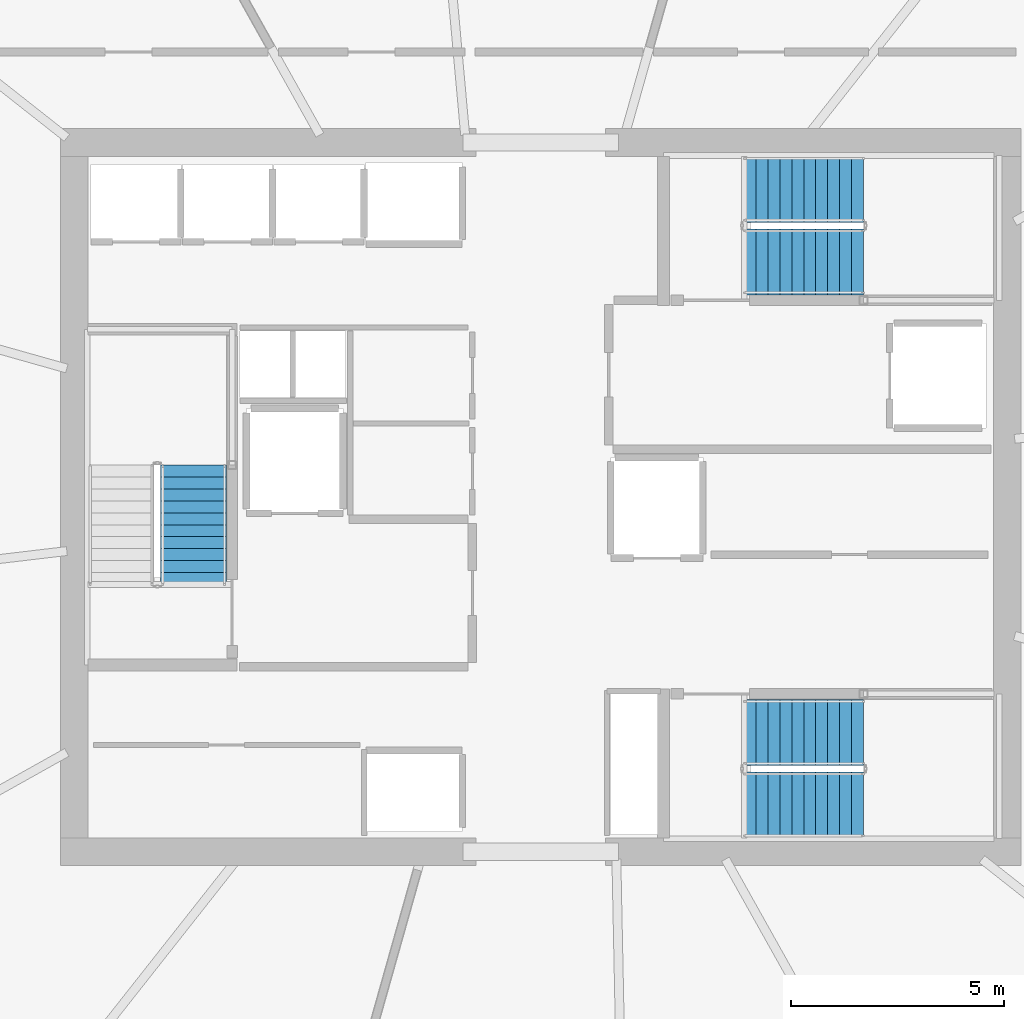
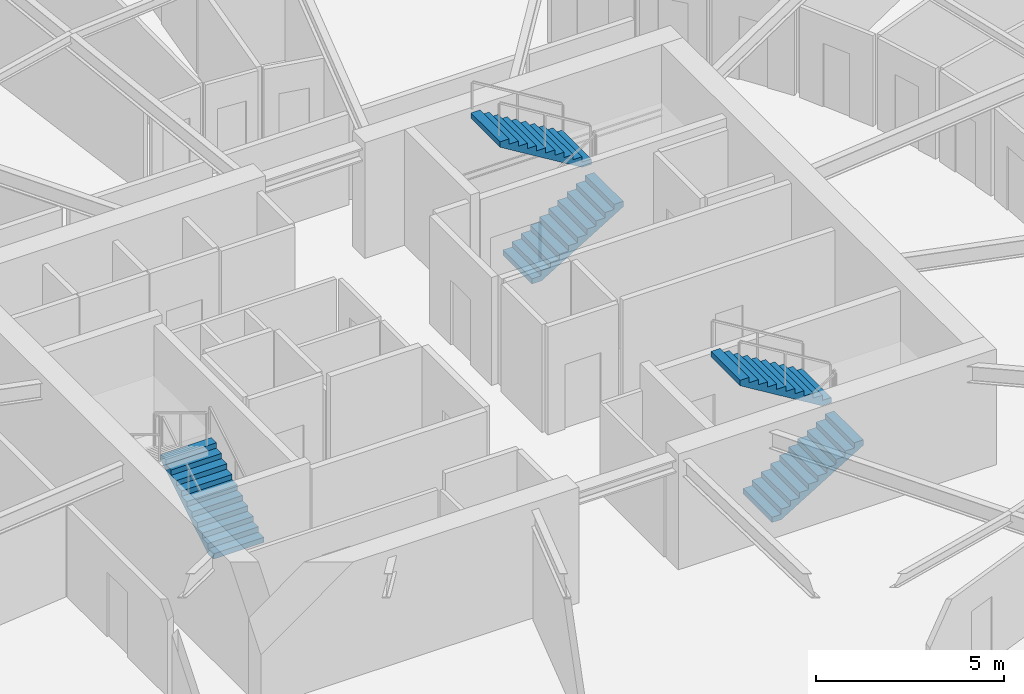
# One storey, part 16 of 21: 5 stair flights, 3 elements without a shape of their own.
"""IFC4 building model written with IfcOpenShell, lengths in metres."""

import ifcopenshell
import ifcopenshell.guid

model = None  # the IFC model being written
_history = None  # IfcOwnerHistory: only IFC2X3 demands one
_inside = {}  # id of a spatial element -> (the spatial element, [elements in it])
_under = {}  # id of a project, library or spatial element -> (it, [spatial elements below it])
_declared = {}  # id of a project -> (the project, [libraries it declares])
_typed = {}  # id of a type object -> (the type object, [elements of that type])
_made_of = {}  # id of a material, layer set ... -> (it, [elements and type objects made of it])


def new_model(schema):
    """Start an empty IFC model of exactly this schema.

    Asked for "IFC4X3", IfcOpenShell would pick the latest addendum, in which some entities
    have other attributes; the version numbers below select the first issue.
    IFC2X3 requires an IfcOwnerHistory on every rooted entity: one is made here for all.
    """
    global model, _history
    if schema == "IFC4X3":
        model = ifcopenshell.file(schema_version=(4, 3, 0, 0))
    else:
        model = ifcopenshell.file(schema=schema)
    _inside.clear()
    _under.clear()
    _declared.clear()
    _typed.clear()
    _made_of.clear()
    _history = None
    if model.schema == "IFC2X3":
        org = make("IfcOrganization", Name="unknown")
        user = make(
            "IfcPersonAndOrganization",
            ThePerson=make("IfcPerson", FamilyName="unknown"),
            TheOrganization=org,
        )
        app = make(
            "IfcApplication",
            ApplicationDeveloper=org,
            Version="unknown",
            ApplicationFullName="unknown",
            ApplicationIdentifier="unknown",
        )
        _history = make(
            "IfcOwnerHistory",
            OwningUser=user,
            OwningApplication=app,
            ChangeAction="ADDED",
            CreationDate=0,
        )
    return model


def make(cls, **values):
    """One entity of the class cls with the attributes given. An attribute that is None is left unset."""
    return model.create_entity(
        cls, **{name: value for name, value in values.items() if value is not None}
    )


def rooted(cls, **values):
    """An entity with a GlobalId (a new one), such as an element, a storey or a relation."""
    return make(cls, GlobalId=ifcopenshell.guid.new(), OwnerHistory=_history, **values)


def si_unit(unit_type, name, prefix=None):
    """IfcSIUnit, for example si_unit("LENGTHUNIT", "METRE", prefix="MILLI")."""
    return make("IfcSIUnit", UnitType=unit_type, Prefix=prefix, Name=name)


def assignment(units):
    """IfcUnitAssignment: the units of a project."""
    return None if units is None else make("IfcUnitAssignment", Units=units)


def point(xyz):
    """IfcCartesianPoint."""
    return None if xyz is None else make("IfcCartesianPoint", Coordinates=xyz)


def direction(xyz):
    """IfcDirection."""
    return None if xyz is None else make("IfcDirection", DirectionRatios=xyz)


def frame(location, z_axis=None, x_axis=None):
    """IfcAxis2Placement3D, a coordinate frame: its origin and axes. An axis left out is left unset."""
    return make(
        "IfcAxis2Placement3D",
        Location=point(location),
        Axis=direction(z_axis),
        RefDirection=direction(x_axis),
    )


def origin():
    """The frame at (0, 0, 0) with its axes left unset."""
    return frame((0.0, 0.0, 0.0))


def place(relative_to, where):
    """IfcLocalPlacement: puts the frame where relative to a parent placement (None: the world)."""
    return make(
        "IfcLocalPlacement", PlacementRelTo=relative_to, RelativePlacement=where
    )


def context(
    kind, dimensions, precision=None, world=None, true_north=None, identifier=None
):
    """IfcGeometricRepresentationContext, for example the 3D "Model" context."""
    return make(
        "IfcGeometricRepresentationContext",
        ContextIdentifier=identifier,
        ContextType=kind,
        CoordinateSpaceDimension=dimensions,
        Precision=precision,
        WorldCoordinateSystem=world,
        TrueNorth=true_north,
    )


def subcontext(parent, identifier, kind, view, scale=None):
    """IfcGeometricRepresentationSubContext, for example "Body" below "Model"."""
    return make(
        "IfcGeometricRepresentationSubContext",
        ContextIdentifier=identifier,
        ContextType=kind,
        ParentContext=parent,
        TargetScale=scale,
        TargetView=view,
    )


def project(units=None, contexts=None):
    """IfcProject with its units and contexts."""
    return rooted(
        "IfcProject",
        Name="project",
        RepresentationContexts=contexts,
        UnitsInContext=assignment(units),
    )


def spatial(cls, under=None, at=None, **own):
    """A site, building, storey or space (cls), placed at a placement, below another one or the project."""
    s = rooted(cls, ObjectPlacement=at, **own)
    if under is not None:
        _under.setdefault(under.id(), (under, []))[1].append(s)
    return s


def polyline(points):
    """IfcPolyline through the points."""
    return make("IfcPolyline", Points=[point(p) for p in points])


def outline(outer, holes=None, kind="AREA"):
    """IfcArbitraryClosedProfileDef: a profile drawn as a closed curve; with holes, ...WithVoids."""
    if holes is None:
        return make("IfcArbitraryClosedProfileDef", ProfileType=kind, OuterCurve=outer)
    return make(
        "IfcArbitraryProfileDefWithVoids",
        ProfileType=kind,
        OuterCurve=outer,
        InnerCurves=holes,
    )


def extrude(swept, where, along, depth):
    """IfcExtrudedAreaSolid: the profile swept, set in the frame where, extruded along a direction by depth."""
    return make(
        "IfcExtrudedAreaSolid",
        SweptArea=swept,
        Position=where,
        ExtrudedDirection=direction(along),
        Depth=depth,
    )


def shape(context_of_items, identifier, shape_type, items):
    """IfcShapeRepresentation: the items that make up one representation, for example the "Body"."""
    return make(
        "IfcShapeRepresentation",
        ContextOfItems=context_of_items,
        RepresentationIdentifier=identifier,
        RepresentationType=shape_type,
        Items=items,
    )


def material(Name=None, Category=None):
    """IfcMaterial."""
    return make("IfcMaterial", Name=Name, Category=Category)


def made_of(thing, what):
    """Note that an element or type object is made of a material, layer set ...; save() writes the relation."""
    if what is not None:
        _made_of.setdefault(what.id(), (what, []))[1].append(thing)
    return thing


def type_object(cls, material=None, **own):
    """A type object (cls), such as IfcWallType, which elements share."""
    return made_of(rooted(cls, **own), material)


def element(
    cls,
    number,
    at=None,
    inside=None,
    cuts=None,
    type_object=None,
    material=None,
    context=None,
    identifier="Body",
    shape_type=None,
    held_by="IfcProductDefinitionShape",
    body=None,
    shapes=None,
    **own,
):
    """One element of the class cls, such as IfcWall. Its Tag is "e" and its number.

    at: its placement. inside: the storey or other place that contains it. cuts: it is an
    opening in that element (IfcRelVoidsElement). A single representation is given by context,
    identifier, shape_type and body (its items); several are given by shapes. held_by: the class
    of the entity that holds the representations. save() writes the other relations.
    """
    e = rooted(cls, Tag="e%d" % number, ObjectPlacement=at, **own)
    if body is not None:
        shapes = [shape(context, identifier, shape_type, body)]
    if shapes is not None:
        e.Representation = make(held_by, Representations=shapes)
    if inside is not None:
        _inside.setdefault(inside.id(), (inside, []))[1].append(e)
    if cuts is not None:
        rooted(
            "IfcRelVoidsElement", RelatingBuildingElement=cuts, RelatedOpeningElement=e
        )
    if type_object is not None:
        _typed.setdefault(type_object.id(), (type_object, []))[1].append(e)
    return made_of(e, material)


def aggregate(whole, parts):
    """IfcRelAggregates: a whole, such as a stair, and the parts it consists of."""
    return rooted("IfcRelAggregates", RelatingObject=whole, RelatedObjects=parts)


def save(model, path):
    """Write the relations noted so far, then the file.

    IfcRelAggregates (storeys below a building ...), IfcRelContainedInSpatialStructure (elements
    in a storey), IfcRelDefinesByType, IfcRelAssociatesMaterial and IfcRelDeclares: one each for
    every whole, place, type object, material and project.
    """
    for whole, parts in _under.values():
        aggregate(whole, parts)
    for where, things in _inside.values():
        rooted(
            "IfcRelContainedInSpatialStructure",
            RelatedElements=things,
            RelatingStructure=where,
        )
    for kind, things in _typed.values():
        rooted("IfcRelDefinesByType", RelatedObjects=things, RelatingType=kind)
    for what, things in _made_of.values():
        rooted("IfcRelAssociatesMaterial", RelatedObjects=things, RelatingMaterial=what)
    for by, libraries in _declared.values():
        rooted("IfcRelDeclares", RelatingContext=by, RelatedDefinitions=libraries)
    model.write(path)


model = new_model("IFC4")

# Units and contexts
model_context = context("Model", 3, precision=1e-05, world=origin(), true_north=direction((0.0, 1.0)))
body_context = subcontext(model_context, "Body", "Model", "MODEL_VIEW")
ifc_project = project(units=[si_unit("LENGTHUNIT", "METRE"), si_unit("AREAUNIT", "SQUARE_METRE"), si_unit("VOLUMEUNIT", "CUBIC_METRE"), si_unit("PLANEANGLEUNIT", "RADIAN"), si_unit("MASSUNIT", "GRAM", prefix="KILO")], contexts=[model_context])

# Site, building, storey
site_placement = place(None, origin())
site = spatial("IfcSite", under=ifc_project, at=site_placement, CompositionType="ELEMENT")
building_placement = place(site_placement, origin())
building = spatial("IfcBuilding", under=site, at=building_placement, Name="Kazma Halo Residences", CompositionType="ELEMENT")
storey_placement = place(building_placement, frame((0.0, 0.0, 176.550048828125)))
storey = spatial("IfcBuildingStorey", under=building, at=storey_placement, Name="L44", CompositionType="ELEMENT", Elevation=176.550048828125)

# Stair, stair flight
ifc_material = material(Name="Concrete C50/60", Category="concrete")
stair_type = type_object("IfcStairType", Name="STR-RES1", PredefinedType="HALF_TURN_STAIR", material=ifc_material)
stair_1_placement = place(storey_placement, origin())
stair_1 = element("IfcStair", 1, at=stair_1_placement, inside=storey, type_object=stair_type, Name="L44 Core exit stair ST-01", PredefinedType="HALF_TURN_STAIR")
stair_flight_type = type_object("IfcStairFlightType", Name="STR-RES1-FLT", PredefinedType="STRAIGHT", material=ifc_material)
stair_flight_1_placement = place(storey_placement, frame((40.27490234375, 39.949951171875, 0.0), z_axis=(0.0, 0.0, 1.0), x_axis=(0.0, 1.0, 0.0)))
stair_flight_1 = element("IfcStairFlight", 2, at=stair_flight_1_placement, type_object=stair_flight_type, Name="ST-01 flight 1", NumberOfRisers=11, NumberOfTreads=10, PredefinedType="STRAIGHT", RiserHeight=0.170454545, TreadLength=0.28, context=body_context, shape_type="SweptSolid", body=[
    extrude(outline(polyline([(0.0, 0.0), (0.0, 0.17041015625), (0.280029296875, 0.17041015625), (0.280029296875, 0.3408203125), (0.56005859375, 0.3408203125), (0.56005859375, 0.511474609375), (0.840087890625, 0.511474609375), (0.840087890625, 0.681884765625), (1.1201171875, 0.681884765625), (1.1201171875, 0.852294921875), (1.39990234375, 0.852294921875), (1.39990234375, 1.022705078125), (1.679931640625, 1.022705078125), (1.679931640625, 1.193115234375), (1.9599609375, 1.193115234375), (1.9599609375, 1.363525390625), (2.239990234375, 1.363525390625), (2.239990234375, 1.5341796875), (2.52001953125, 1.5341796875), (2.52001953125, 1.70458984375), (2.800048828125, 1.70458984375), (2.800048828125, 1.875), (2.800048828125, 1.529052734375), (0.288330078125, 0.0), (0.0, 0.0)])), frame((0.0, 0.77490234375, 0.0), z_axis=(0.0, -1.0, 0.0), x_axis=(1.0, 0.0, 0.0)), (0.0, 0.0, 1.0), 1.550048828125),
])
aggregate(stair_1, [stair_flight_1])

# Stair, stair flights
stair_2_placement = place(storey_placement, origin())
stair_2 = element("IfcStair", 3, at=stair_2_placement, inside=storey, type_object=stair_type, Name="L44 Core exit stair ST-02", PredefinedType="HALF_TURN_STAIR")
stair_flight_2_placement = place(storey_placement, frame((53.199951171875, 47.52490234375, 0.0), z_axis=(0.0, 0.0, 1.0), x_axis=(1.0, 0.0, 0.0)))
stair_flight_2 = element("IfcStairFlight", 4, at=stair_flight_2_placement, type_object=stair_flight_type, Name="ST-02 flight 1", NumberOfRisers=11, NumberOfTreads=10, PredefinedType="STRAIGHT", RiserHeight=0.170454545, TreadLength=0.28, context=body_context, shape_type="SweptSolid", body=[
    extrude(outline(polyline([(0.0, 0.0), (0.0, 0.17041015625), (0.280029296875, 0.17041015625), (0.280029296875, 0.3408203125), (0.56005859375, 0.3408203125), (0.56005859375, 0.511474609375), (0.840087890625, 0.511474609375), (0.840087890625, 0.681884765625), (1.1201171875, 0.681884765625), (1.1201171875, 0.852294921875), (1.39990234375, 0.852294921875), (1.39990234375, 1.022705078125), (1.679931640625, 1.022705078125), (1.679931640625, 1.193115234375), (1.9599609375, 1.193115234375), (1.9599609375, 1.363525390625), (2.239990234375, 1.363525390625), (2.239990234375, 1.5341796875), (2.52001953125, 1.5341796875), (2.52001953125, 1.70458984375), (2.800048828125, 1.70458984375), (2.800048828125, 1.875), (2.800048828125, 1.529052734375), (0.288330078125, 0.0), (0.0, 0.0)])), frame((0.0, 0.77490234375, 0.0), z_axis=(0.0, -1.0, 0.0), x_axis=(1.0, 0.0, 0.0)), (0.0, 0.0, 1.0), 1.550048828125),
])
stair_flight_3_placement = place(storey_placement, frame((56.0, 49.22509765625, 1.875), z_axis=(0.0, 0.0, 1.0), x_axis=(-1.0, 0.0, 0.0)))
stair_flight_3 = element("IfcStairFlight", 5, at=stair_flight_3_placement, type_object=stair_flight_type, Name="ST-02 flight 2", NumberOfRisers=11, NumberOfTreads=10, PredefinedType="STRAIGHT", RiserHeight=0.170454545, TreadLength=0.28, context=body_context, shape_type="SweptSolid", body=[
    extrude(outline(polyline([(0.0, 0.0), (0.0, 0.17041015625), (0.280029296875, 0.17041015625), (0.280029296875, 0.3408203125), (0.56005859375, 0.3408203125), (0.56005859375, 0.511474609375), (0.840087890625, 0.511474609375), (0.840087890625, 0.681884765625), (1.1201171875, 0.681884765625), (1.1201171875, 0.852294921875), (1.39990234375, 0.852294921875), (1.39990234375, 1.022705078125), (1.679931640625, 1.022705078125), (1.679931640625, 1.193115234375), (1.9599609375, 1.193115234375), (1.9599609375, 1.363525390625), (2.239990234375, 1.363525390625), (2.239990234375, 1.5341796875), (2.52001953125, 1.5341796875), (2.52001953125, 1.70458984375), (2.800048828125, 1.70458984375), (2.800048828125, 1.875), (2.800048828125, 1.529052734375), (0.288330078125, 0.0), (0.0, 0.0)])), frame((0.0, 0.77490234375, 0.0), z_axis=(0.0, -1.0, 0.0), x_axis=(1.0, 0.0, 0.0)), (0.0, 0.0, 1.0), 1.550048828125),
])
aggregate(stair_2, [stair_flight_2, stair_flight_3])

stair_3_placement = place(storey_placement, origin())
stair_3 = element("IfcStair", 6, at=stair_3_placement, inside=storey, type_object=stair_type, Name="L44 Core exit stair ST-03", PredefinedType="HALF_TURN_STAIR")
stair_flight_4_placement = place(storey_placement, frame((53.199951171875, 34.77490234375, 0.0), z_axis=(0.0, 0.0, 1.0), x_axis=(1.0, 0.0, 0.0)))
stair_flight_4 = element("IfcStairFlight", 7, at=stair_flight_4_placement, type_object=stair_flight_type, Name="ST-03 flight 1", NumberOfRisers=11, NumberOfTreads=10, PredefinedType="STRAIGHT", RiserHeight=0.170454545, TreadLength=0.28, context=body_context, shape_type="SweptSolid", body=[
    extrude(outline(polyline([(0.0, 0.0), (0.0, 0.17041015625), (0.280029296875, 0.17041015625), (0.280029296875, 0.3408203125), (0.56005859375, 0.3408203125), (0.56005859375, 0.511474609375), (0.840087890625, 0.511474609375), (0.840087890625, 0.681884765625), (1.1201171875, 0.681884765625), (1.1201171875, 0.852294921875), (1.39990234375, 0.852294921875), (1.39990234375, 1.022705078125), (1.679931640625, 1.022705078125), (1.679931640625, 1.193115234375), (1.9599609375, 1.193115234375), (1.9599609375, 1.363525390625), (2.239990234375, 1.363525390625), (2.239990234375, 1.5341796875), (2.52001953125, 1.5341796875), (2.52001953125, 1.70458984375), (2.800048828125, 1.70458984375), (2.800048828125, 1.875), (2.800048828125, 1.529052734375), (0.288330078125, 0.0), (0.0, 0.0)])), frame((0.0, 0.77490234375, 0.0), z_axis=(0.0, -1.0, 0.0), x_axis=(1.0, 0.0, 0.0)), (0.0, 0.0, 1.0), 1.550048828125),
])
stair_flight_5_placement = place(storey_placement, frame((56.0, 36.47509765625, 1.875), z_axis=(0.0, 0.0, 1.0), x_axis=(-1.0, 0.0, 0.0)))
stair_flight_5 = element("IfcStairFlight", 8, at=stair_flight_5_placement, type_object=stair_flight_type, Name="ST-03 flight 2", NumberOfRisers=11, NumberOfTreads=10, PredefinedType="STRAIGHT", RiserHeight=0.170454545, TreadLength=0.28, context=body_context, shape_type="SweptSolid", body=[
    extrude(outline(polyline([(0.0, 0.0), (0.0, 0.17041015625), (0.280029296875, 0.17041015625), (0.280029296875, 0.3408203125), (0.56005859375, 0.3408203125), (0.56005859375, 0.511474609375), (0.840087890625, 0.511474609375), (0.840087890625, 0.681884765625), (1.1201171875, 0.681884765625), (1.1201171875, 0.852294921875), (1.39990234375, 0.852294921875), (1.39990234375, 1.022705078125), (1.679931640625, 1.022705078125), (1.679931640625, 1.193115234375), (1.9599609375, 1.193115234375), (1.9599609375, 1.363525390625), (2.239990234375, 1.363525390625), (2.239990234375, 1.5341796875), (2.52001953125, 1.5341796875), (2.52001953125, 1.70458984375), (2.800048828125, 1.70458984375), (2.800048828125, 1.875), (2.800048828125, 1.529052734375), (0.288330078125, 0.0), (0.0, 0.0)])), frame((0.0, 0.77490234375, 0.0), z_axis=(0.0, -1.0, 0.0), x_axis=(1.0, 0.0, 0.0)), (0.0, 0.0, 1.0), 1.550048828125),
])
aggregate(stair_3, [stair_flight_4, stair_flight_5])

save(model, "model.ifc")
